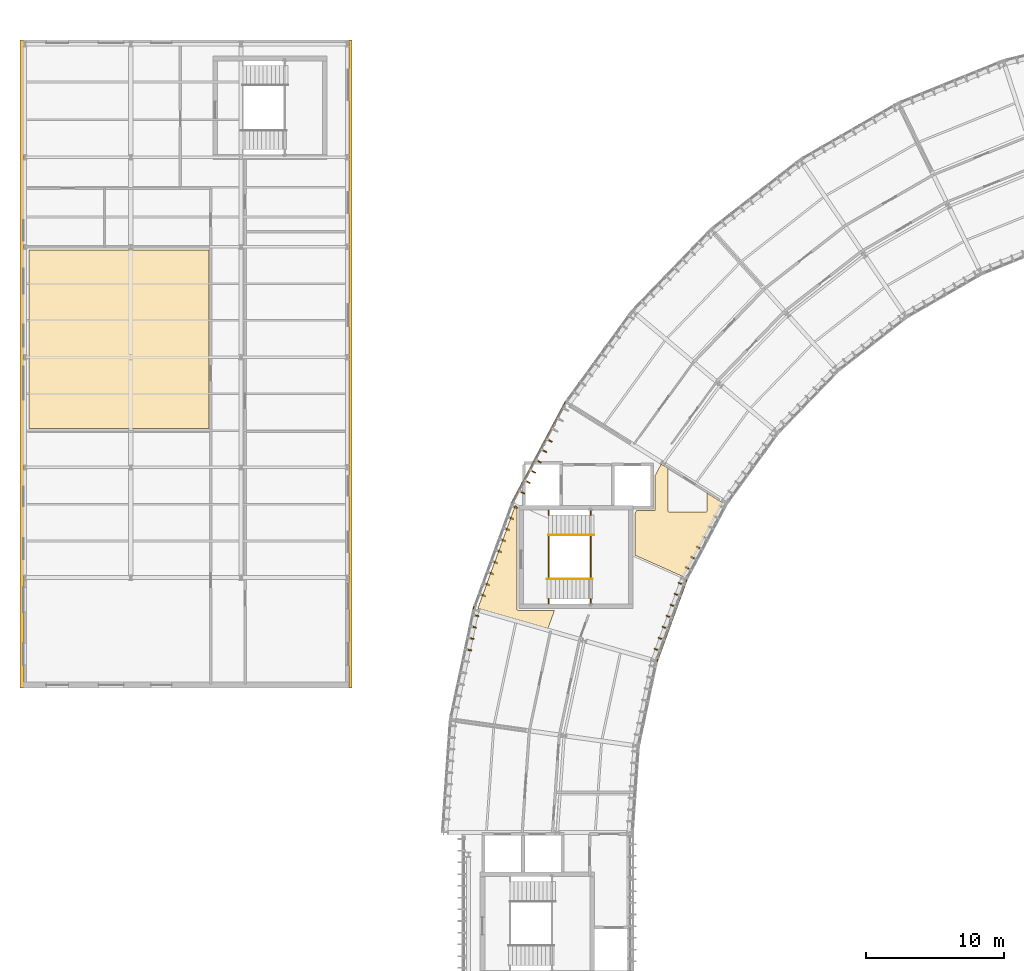
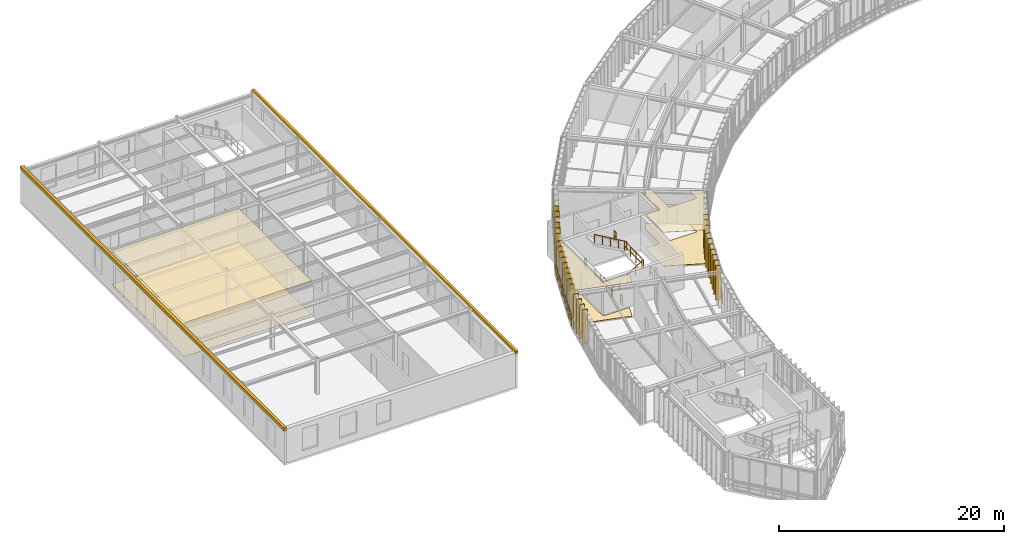
# One storey, part 37 of 41: 37 coverings, 11 railings.
"""IFC4 building model written with IfcOpenShell, lengths in metres."""

from ifc_helpers import new_model, si_unit, direction, frame, origin, origin_2d, place, context, subcontext, project, spatial, polyline, rectangle, circle, outline, extrude, material, layer, layer_set, type_object, element, save


model = new_model("IFC4")

# Units and contexts
model_context = context("Model", 3, precision=1e-05, world=origin(), true_north=direction((0.0, 1.0)))
body_context = subcontext(model_context, "Body", "Model", "MODEL_VIEW")
ifc_project = project(units=[si_unit("LENGTHUNIT", "METRE"), si_unit("AREAUNIT", "SQUARE_METRE"), si_unit("VOLUMEUNIT", "CUBIC_METRE"), si_unit("PLANEANGLEUNIT", "RADIAN"), si_unit("MASSUNIT", "GRAM", prefix="KILO"), si_unit("THERMODYNAMICTEMPERATUREUNIT", "KELVIN"), si_unit("POWERUNIT", "WATT")], contexts=[model_context])

# Site, building, storey
site_placement = place(None, origin())
site = spatial("IfcSite", under=ifc_project, at=site_placement, CompositionType="ELEMENT")
building_placement = place(site_placement, origin())
building = spatial("IfcBuilding", under=site, at=building_placement, Name="Solvatero Civic Police Headquarters", CompositionType="ELEMENT")
storey_placement = place(building_placement, frame((0.0, 0.0, 17.699951171875)))
storey = spatial("IfcBuildingStorey", under=building, at=storey_placement, Name="L04", CompositionType="ELEMENT", Elevation=17.699951171875)

# Coverings
ifc_material_1 = material(Name="Mineral-Fibre Acoustic Tile", Category="gypsum")
ifc_layer_1 = layer(ifc_material_1, 0.02490234375)
ifc_layer_set_1 = layer_set([ifc_layer_1], Name="Mineral-Fibre Acoustic Tile")
covering_type_1 = type_object("IfcCoveringType", Name="COV-CEIL-AC", PredefinedType="CEILING", material=ifc_layer_set_1)
covering_1_placement = place(storey_placement, frame((0.0, 0.0, 3.675048828125)))
element("IfcCovering", 1, at=covering_1_placement, inside=storey, type_object=covering_type_1, Name="Acoustic Ceiling TEMPEST Shielded Digital Forensics Laboratory", PredefinedType="CEILING", context=body_context, shape_type="SweptSolid", body=[
    extrude(outline(polyline([(5.1201171875, 55.320068359375), (5.1201171875, 68.280029296875), (18.179931640625, 68.280029296875), (18.179931640625, 55.320068359375), (5.1201171875, 55.320068359375)])), origin(), (0.0, 0.0, 1.0), 0.02490234375),
])
covering_2_placement = place(storey_placement, frame((0.0, 0.0, 3.675048828125)))
element("IfcCovering", 2, at=covering_2_placement, inside=storey, type_object=covering_type_1, Name="Acoustic Ceiling Counter-Terrorism Liaison Suite Bay 9", PredefinedType="CEILING", context=body_context, shape_type="SweptSolid", body=[
    extrude(outline(polyline([(50.981689453125, 52.7392578125), (51.4599609375, 52.4404296875), (51.4599609375, 49.360107421875), (51.46044921875, 49.352294921875), (51.46142578125, 49.344482421875), (51.46337890625, 49.3369140625), (51.466064453125, 49.329345703125), (51.469482421875, 49.322265625), (51.473388671875, 49.315673828125), (51.478271484375, 49.30908203125), (51.4833984375, 49.303466796875), (51.4892578125, 49.298095703125), (51.49560546875, 49.29345703125), (51.502197265625, 49.289306640625), (51.509521484375, 49.2861328125), (51.516845703125, 49.283447265625), (51.5244140625, 49.281494140625), (51.5322265625, 49.280517578125), (51.5400390625, 49.280029296875), (54.239990234375, 49.280029296875), (54.247802734375, 49.280517578125), (54.255615234375, 49.281494140625), (54.26318359375, 49.283447265625), (54.2705078125, 49.2861328125), (54.277587890625, 49.289306640625), (54.284423828125, 49.29345703125), (54.290771484375, 49.298095703125), (54.296630859375, 49.303466796875), (54.3017578125, 49.30908203125), (54.306396484375, 49.315673828125), (54.310546875, 49.322265625), (54.31396484375, 49.329345703125), (54.316650390625, 49.3369140625), (54.318603515625, 49.344482421875), (54.319580078125, 49.352294921875), (54.320068359375, 49.360107421875), (54.320068359375, 50.629638671875), (55.4580078125, 49.918701171875), (52.608642578125, 44.559814453125), (49.070068359375, 46.135498046875), (49.070068359375, 49.14404296875), (49.184814453125, 49.360107421875), (50.4599609375, 49.360107421875), (50.4677734375, 49.3603515625), (50.4755859375, 49.361572265625), (50.483154296875, 49.36328125), (50.490478515625, 49.3662109375), (50.497802734375, 49.369384765625), (50.50439453125, 49.37353515625), (50.5107421875, 49.378173828125), (50.5166015625, 49.38330078125), (50.521728515625, 49.38916015625), (50.526611328125, 49.3955078125), (50.530517578125, 49.40234375), (50.533935546875, 49.409423828125), (50.53662109375, 49.416748046875), (50.53857421875, 49.42431640625), (50.53955078125, 49.43212890625), (50.5400390625, 49.43994140625), (50.5400390625, 51.90869140625), (50.981689453125, 52.7392578125)])), origin(), (0.0, 0.0, 1.0), 0.02490234375),
])
covering_3_placement = place(storey_placement, frame((0.0, 0.0, 3.675048828125)))
element("IfcCovering", 3, at=covering_3_placement, inside=storey, type_object=covering_type_1, Name="Acoustic Ceiling Regional Intelligence Fusion Desk Bay 10", PredefinedType="CEILING", context=body_context, shape_type="SweptSolid", body=[
    extrude(outline(polyline([(40.530029296875, 49.675048828125), (40.530029296875, 42.2099609375), (40.530517578125, 42.2021484375), (40.531494140625, 42.1943359375), (40.533447265625, 42.186767578125), (40.5361328125, 42.179443359375), (40.539306640625, 42.17236328125), (40.54345703125, 42.16552734375), (40.548095703125, 42.1591796875), (40.553466796875, 42.1533203125), (40.55908203125, 42.148193359375), (40.565673828125, 42.1435546875), (40.572265625, 42.139404296875), (40.579345703125, 42.135986328125), (40.5869140625, 42.13330078125), (40.594482421875, 42.131591796875), (40.602294921875, 42.13037109375), (40.610107421875, 42.1298828125), (43.24560546875, 42.1298828125), (42.76708984375, 40.815673828125), (37.6826171875, 42.273681640625), (40.39794921875, 49.73388671875), (40.530029296875, 49.675048828125)])), origin(), (0.0, 0.0, 1.0), 0.02490234375),
])
ifc_material_2 = material(Name="Anodized Bronze Aluminium", Category="aluminium")
ifc_layer_2 = layer(ifc_material_2, 0.080078125)
ifc_layer_set_2 = layer_set([ifc_layer_2], Name="Anodized Bronze Aluminium")
covering_type_2 = type_object("IfcCoveringType", Name="COV-FIN-480", PredefinedType="CLADDING", material=ifc_layer_set_2)
for number, where, z_axis, x_axis, name in (
    (4, (42.8505859375, 54.466552734375, -0.02001953125), (0.0, 0.0, 1.0), (-0.469486973057, -0.8829393989, 0.0), "Vertical Brise-Soleil Fin 0909"),
    (5, (42.451416015625, 53.716064453125, -0.02001953125), (0.0, 0.0, 1.0), (-0.469486973057, -0.8829393989, 0.0), "Vertical Brise-Soleil Fin 0910"),
    (6, (42.052490234375, 52.965576171875, -0.02001953125), (0.0, 0.0, 1.0), (-0.469486973057, -0.8829393989, 0.0), "Vertical Brise-Soleil Fin 0911"),
    (7, (41.6533203125, 52.215087890625, -0.02001953125), (0.0, 0.0, 1.0), (-0.469486973057, -0.8829393989, 0.0), "Vertical Brise-Soleil Fin 0912"),
    (8, (41.25439453125, 51.464599609375, -0.02001953125), (0.0, 0.0, 1.0), (-0.469486973057, -0.8829393989, 0.0), "Vertical Brise-Soleil Fin 0913"),
    (9, (40.855224609375, 50.714111328125, -0.02001953125), (0.0, 0.0, 1.0), (-0.469486973057, -0.8829393989, 0.0), "Vertical Brise-Soleil Fin 0914"),
    (10, (53.764892578125, 46.64990234375, -0.02001953125), (0.0, 0.0, 1.0), (-0.469486973057, -0.8829393989, 0.0), "Vertical Brise-Soleil Fin 0919"),
    (11, (53.36572265625, 45.8994140625, -0.02001953125), (0.0, 0.0, 1.0), (-0.469486973057, -0.8829393989, 0.0), "Vertical Brise-Soleil Fin 0920"),
    (12, (52.966552734375, 45.148681640625, -0.02001953125), (0.0, 0.0, 1.0), (-0.469486973057, -0.8829393989, 0.0), "Vertical Brise-Soleil Fin 0921"),
    (13, (40.31884765625, 49.632568359375, -0.02001953125), (0.0, 0.0, 1.0), (-0.342020143326, -0.939692620786, 0.0), "Vertical Brise-Soleil Fin 0922"),
    (14, (40.028076171875, 48.833740234375, -0.02001953125), (0.0, 0.0, 1.0), (-0.342020143326, -0.939692620786, 0.0), "Vertical Brise-Soleil Fin 0923"),
    (15, (39.7373046875, 48.03515625, -0.02001953125), (0.0, 0.0, 1.0), (-0.342020143326, -0.939692620786, 0.0), "Vertical Brise-Soleil Fin 0924"),
    (16, (39.44677734375, 47.236328125, -0.02001953125), (0.0, 0.0, 1.0), (-0.342020143326, -0.939692620786, 0.0), "Vertical Brise-Soleil Fin 0925"),
    (17, (39.156005859375, 46.4375, -0.02001953125), (0.0, 0.0, 1.0), (-0.342020143326, -0.939692620786, 0.0), "Vertical Brise-Soleil Fin 0926"),
    (18, (38.865234375, 45.638916015625, -0.02001953125), (0.0, 0.0, 1.0), (-0.342020143326, -0.939692620786, 0.0), "Vertical Brise-Soleil Fin 0927"),
    (19, (38.57470703125, 44.840087890625, -0.02001953125), (0.0, 0.0, 1.0), (-0.342020143326, -0.939692620786, 0.0), "Vertical Brise-Soleil Fin 0928"),
    (20, (38.283935546875, 44.04150390625, -0.02001953125), (0.0, 0.0, 1.0), (-0.342020143326, -0.939692620786, 0.0), "Vertical Brise-Soleil Fin 0929"),
    (21, (37.9931640625, 43.24267578125, -0.02001953125), (0.0, 0.0, 1.0), (-0.342020143326, -0.939692620786, 0.0), "Vertical Brise-Soleil Fin 0930"),
    (22, (52.44873046875, 44.0537109375, -0.02001953125), (0.0, 0.0, 1.0), (-0.342003742543, -0.93969859002, 0.0), "Vertical Brise-Soleil Fin 0931"),
    (23, (52.157958984375, 43.2548828125, -0.02001953125), (0.0, 0.0, 1.0), (-0.342003742543, -0.93969859002, 0.0), "Vertical Brise-Soleil Fin 0932"),
    (24, (51.8671875, 42.4560546875, -0.02001953125), (0.0, 0.0, 1.0), (-0.342003742543, -0.93969859002, 0.0), "Vertical Brise-Soleil Fin 0933"),
    (25, (51.576416015625, 41.657470703125, -0.02001953125), (0.0, 0.0, 1.0), (-0.342003742543, -0.93969859002, 0.0), "Vertical Brise-Soleil Fin 0934"),
    (26, (51.285888671875, 40.858642578125, -0.02001953125), (0.0, 0.0, 1.0), (-0.342003742543, -0.93969859002, 0.0), "Vertical Brise-Soleil Fin 0935"),
    (27, (50.9951171875, 40.059814453125, -0.02001953125), (0.0, 0.0, 1.0), (-0.342003742543, -0.93969859002, 0.0), "Vertical Brise-Soleil Fin 0936"),
    (28, (50.704345703125, 39.260986328125, -0.02001953125), (0.0, 0.0, 1.0), (-0.342003742543, -0.93969859002, 0.0), "Vertical Brise-Soleil Fin 0937"),
    (29, (37.515625, 41.759521484375, -0.02001953125), (0.0, 0.0, 1.0), (-0.207911690818, -0.978147600734, 0.0), "Vertical Brise-Soleil Fin 0938"),
    (30, (37.3388671875, 40.927978515625, -0.02001953125), (0.0, 0.0, 1.0), (-0.207911690818, -0.978147600734, 0.0), "Vertical Brise-Soleil Fin 0939"),
    (31, (37.162109375, 40.0966796875, -0.02001953125), (0.0, 0.0, 1.0), (-0.207911690818, -0.978147600734, 0.0), "Vertical Brise-Soleil Fin 0940"),
    (32, (36.985595703125, 39.26513671875, -0.02001953125), (0.0, 0.0, 1.0), (-0.207911690818, -0.978147600734, 0.0), "Vertical Brise-Soleil Fin 0941"),
):
    element("IfcCovering", number, at=place(storey_placement, frame(where, z_axis=z_axis, x_axis=x_axis)), inside=storey, type_object=covering_type_2, Name=name, PredefinedType="CLADDING", context=body_context, shape_type="SweptSolid", body=[
        extrude(rectangle(XDim=0.080078125, YDim=0.47998046875, at=origin_2d()), origin(), (0.0, 0.0, 1.0), 3.739990234375),
    ])
ifc_material_3 = material(Name="Anti-Static Laboratory Epoxy", Category="plastic")
ifc_layer_3 = layer(ifc_material_3, 0.014892578125)
ifc_layer_set_3 = layer_set([ifc_layer_3], Name="Anti-Static Laboratory Epoxy")
covering_type_3 = type_object("IfcCoveringType", Name="COV-FLR-EPX", PredefinedType="FLOORING", material=ifc_layer_set_3)
covering_4_placement = place(storey_placement, origin())
element("IfcCovering", 33, at=covering_4_placement, inside=storey, type_object=covering_type_3, Name="Flooring TEMPEST Shielded Digital Forensics Laboratory", PredefinedType="FLOORING", context=body_context, shape_type="SweptSolid", body=[
    extrude(outline(polyline([(5.1201171875, 55.320068359375), (5.1201171875, 68.280029296875), (18.179931640625, 68.280029296875), (18.179931640625, 55.320068359375), (5.1201171875, 55.320068359375)])), origin(), (0.0, 0.0, 1.0), 0.01513671875),
])
ifc_material_4 = material(Name="Venetian Terrazzo Stone", Category="masonry")
ifc_layer_4 = layer(ifc_material_4, 0.034912109375)
ifc_layer_set_4 = layer_set([ifc_layer_4], Name="Venetian Terrazzo Stone")
covering_type_4 = type_object("IfcCoveringType", Name="COV-FLR-TER", PredefinedType="FLOORING", material=ifc_layer_set_4)
covering_5_placement = place(storey_placement, origin())
element("IfcCovering", 34, at=covering_5_placement, inside=storey, type_object=covering_type_4, Name="Flooring Counter-Terrorism Liaison Suite Bay 9", PredefinedType="FLOORING", context=body_context, shape_type="SweptSolid", body=[
    extrude(outline(polyline([(50.981689453125, 52.7392578125), (51.4599609375, 52.4404296875), (51.4599609375, 49.360107421875), (51.46044921875, 49.352294921875), (51.46142578125, 49.344482421875), (51.46337890625, 49.3369140625), (51.466064453125, 49.329345703125), (51.469482421875, 49.322265625), (51.473388671875, 49.315673828125), (51.478271484375, 49.30908203125), (51.4833984375, 49.303466796875), (51.4892578125, 49.298095703125), (51.49560546875, 49.29345703125), (51.502197265625, 49.289306640625), (51.509521484375, 49.2861328125), (51.516845703125, 49.283447265625), (51.5244140625, 49.281494140625), (51.5322265625, 49.280517578125), (51.5400390625, 49.280029296875), (54.239990234375, 49.280029296875), (54.247802734375, 49.280517578125), (54.255615234375, 49.281494140625), (54.26318359375, 49.283447265625), (54.2705078125, 49.2861328125), (54.277587890625, 49.289306640625), (54.284423828125, 49.29345703125), (54.290771484375, 49.298095703125), (54.296630859375, 49.303466796875), (54.3017578125, 49.30908203125), (54.306396484375, 49.315673828125), (54.310546875, 49.322265625), (54.31396484375, 49.329345703125), (54.316650390625, 49.3369140625), (54.318603515625, 49.344482421875), (54.319580078125, 49.352294921875), (54.320068359375, 49.360107421875), (54.320068359375, 50.629638671875), (55.4580078125, 49.918701171875), (52.608642578125, 44.559814453125), (49.070068359375, 46.135498046875), (49.070068359375, 49.14404296875), (49.184814453125, 49.360107421875), (50.4599609375, 49.360107421875), (50.4677734375, 49.3603515625), (50.4755859375, 49.361572265625), (50.483154296875, 49.36328125), (50.490478515625, 49.3662109375), (50.497802734375, 49.369384765625), (50.50439453125, 49.37353515625), (50.5107421875, 49.378173828125), (50.5166015625, 49.38330078125), (50.521728515625, 49.38916015625), (50.526611328125, 49.3955078125), (50.530517578125, 49.40234375), (50.533935546875, 49.409423828125), (50.53662109375, 49.416748046875), (50.53857421875, 49.42431640625), (50.53955078125, 49.43212890625), (50.5400390625, 49.43994140625), (50.5400390625, 51.90869140625), (50.981689453125, 52.7392578125)])), origin(), (0.0, 0.0, 1.0), 0.03515625),
])
covering_6_placement = place(storey_placement, origin())
element("IfcCovering", 35, at=covering_6_placement, inside=storey, type_object=covering_type_4, Name="Flooring Regional Intelligence Fusion Desk Bay 10", PredefinedType="FLOORING", context=body_context, shape_type="SweptSolid", body=[
    extrude(outline(polyline([(40.530029296875, 49.675048828125), (40.530029296875, 42.2099609375), (40.530517578125, 42.2021484375), (40.531494140625, 42.1943359375), (40.533447265625, 42.186767578125), (40.5361328125, 42.179443359375), (40.539306640625, 42.17236328125), (40.54345703125, 42.16552734375), (40.548095703125, 42.1591796875), (40.553466796875, 42.1533203125), (40.55908203125, 42.148193359375), (40.565673828125, 42.1435546875), (40.572265625, 42.139404296875), (40.579345703125, 42.135986328125), (40.5869140625, 42.13330078125), (40.594482421875, 42.131591796875), (40.602294921875, 42.13037109375), (40.610107421875, 42.1298828125), (43.24560546875, 42.1298828125), (42.76708984375, 40.815673828125), (37.6826171875, 42.273681640625), (40.39794921875, 49.73388671875), (40.530029296875, 49.675048828125)])), origin(), (0.0, 0.0, 1.0), 0.03515625),
])
ifc_material_5 = material(Name="Cream Limestone Ashlar", Category="masonry")
ifc_layer_5 = layer(ifc_material_5, 0.10009765625)
ifc_layer_set_5 = layer_set([ifc_layer_5], Name="Cream Limestone Ashlar")
covering_type_5 = type_object("IfcCoveringType", Name="COV-TRIM-STONE", PredefinedType="CLADDING", material=ifc_layer_set_5)
covering_7_placement = place(storey_placement, frame((4.60009765625, 60.0, 3.56005859375), z_axis=(0.0, 0.0, 1.0), x_axis=(1.0, 0.0, 0.0)))
element("IfcCovering", 36, at=covering_7_placement, inside=storey, type_object=covering_type_5, Name="Classical Limestone Trim TRIM-V6-L04-W", PredefinedType="CLADDING", context=body_context, shape_type="SweptSolid", body=[
    extrude(rectangle(XDim=0.280029296875, YDim=47.0, at=origin_2d()), origin(), (0.0, 0.0, 1.0), 0.320068359375),
])
covering_8_placement = place(storey_placement, frame((28.43994140625, 60.0, 3.56982421875), z_axis=(0.0, 0.0, 1.0), x_axis=(1.0, 0.0, 0.0)))
element("IfcCovering", 37, at=covering_8_placement, inside=storey, type_object=covering_type_5, Name="Classical Limestone Trim TRIM-V6-L04-E", PredefinedType="CLADDING", context=body_context, shape_type="SweptSolid", body=[
    extrude(rectangle(XDim=0.239990234375, YDim=47.0, at=origin_2d()), origin(), (0.0, 0.0, 1.0), 0.300048828125),
])

# Railings
ifc_material_6 = material(Name="Anodized Bronze and Laminated Glass", Category="glass")
railing_type_1 = type_object("IfcRailingType", Name="RL-BAL-115", PredefinedType="BALUSTRADE", material=ifc_material_6)
railing_1_placement = place(storey_placement, frame((44.01611328125, 57.2333984375, 0.0)))
element("IfcRailing", 38, at=railing_1_placement, inside=storey, type_object=railing_type_1, Name="Glazed Facade Sill Balustrade RL-L04-ARCOUT-B09", PredefinedType="BALUSTRADE", context=body_context, shape_type="SweptSolid", body=[
    extrude(circle(Radius=0.02392578125, at=origin_2d()), frame((0.0, 0.0, 1.1259765625), z_axis=(-0.469495286037, -0.882934978573, 0.0), x_axis=(0.882934978573, -0.469495286037, 0.0)), (0.0, 0.0, 1.0), 8.222900390625),
    extrude(circle(Radius=0.02392578125, at=origin_2d()), frame((0.0, 0.0, 0.55078125), z_axis=(-0.469495286037, -0.882934978573, 0.0), x_axis=(0.882934978573, -0.469495286037, 0.0)), (0.0, 0.0, 1.0), 8.222900390625),
    extrude(circle(Radius=0.02099609375, at=origin_2d()), origin(), (0.0, 0.0, 1.0), 1.101806640625),
    extrude(circle(Radius=0.02099609375, at=origin_2d()), frame((-0.551513671875, -1.037109375, 0.0)), (0.0, 0.0, 1.0), 1.101806640625),
    extrude(circle(Radius=0.02099609375, at=origin_2d()), frame((-1.10302734375, -2.074462890625, 0.0)), (0.0, 0.0, 1.0), 1.101806640625),
    extrude(circle(Radius=0.02099609375, at=origin_2d()), frame((-1.654541015625, -3.111572265625, 0.0)), (0.0, 0.0, 1.0), 1.101806640625),
    extrude(circle(Radius=0.02099609375, at=origin_2d()), frame((-2.2060546875, -4.148681640625, 0.0)), (0.0, 0.0, 1.0), 1.101806640625),
    extrude(circle(Radius=0.02099609375, at=origin_2d()), frame((-2.757568359375, -5.185791015625, 0.0)), (0.0, 0.0, 1.0), 1.101806640625),
    extrude(circle(Radius=0.02099609375, at=origin_2d()), frame((-3.30908203125, -6.22314453125, 0.0)), (0.0, 0.0, 1.0), 1.101806640625),
    extrude(circle(Radius=0.02099609375, at=origin_2d()), frame((-3.860595703125, -7.26025390625, 0.0)), (0.0, 0.0, 1.0), 1.101806640625),
])
railing_2_placement = place(storey_placement, frame((52.835693359375, 44.32763671875, 0.0)))
element("IfcRailing", 39, at=railing_2_placement, inside=storey, type_object=railing_type_1, Name="Glazed Facade Sill Balustrade RL-L04-ARCIN-B10", PredefinedType="BALUSTRADE", context=body_context, shape_type="SweptSolid", body=[
    extrude(circle(Radius=0.02392578125, at=origin_2d()), frame((0.0, 0.0, 1.1259765625), z_axis=(-0.342020563113, -0.939692467996, 0.0), x_axis=(0.939692467996, -0.342020563113, 0.0)), (0.0, 0.0, 1.0), 6.28662109375),
    extrude(circle(Radius=0.02392578125, at=origin_2d()), frame((0.0, 0.0, 0.55078125), z_axis=(-0.342020563113, -0.939692467996, 0.0), x_axis=(0.939692467996, -0.342020563113, 0.0)), (0.0, 0.0, 1.0), 6.28662109375),
    extrude(circle(Radius=0.02099609375, at=origin_2d()), origin(), (0.0, 0.0, 1.0), 1.101806640625),
    extrude(circle(Radius=0.02099609375, at=origin_2d()), frame((-0.3583984375, -0.984619140625, 0.0)), (0.0, 0.0, 1.0), 1.101806640625),
    extrude(circle(Radius=0.02099609375, at=origin_2d()), frame((-0.716796875, -1.96923828125, 0.0)), (0.0, 0.0, 1.0), 1.101806640625),
    extrude(circle(Radius=0.02099609375, at=origin_2d()), frame((-1.0751953125, -2.95361328125, 0.0)), (0.0, 0.0, 1.0), 1.101806640625),
    extrude(circle(Radius=0.02099609375, at=origin_2d()), frame((-1.433349609375, -3.938232421875, 0.0)), (0.0, 0.0, 1.0), 1.101806640625),
    extrude(circle(Radius=0.02099609375, at=origin_2d()), frame((-1.791748046875, -4.9228515625, 0.0)), (0.0, 0.0, 1.0), 1.101806640625),
    extrude(circle(Radius=0.02099609375, at=origin_2d()), frame((-2.150146484375, -5.907470703125, 0.0)), (0.0, 0.0, 1.0), 1.101806640625),
])
railing_3_placement = place(storey_placement, frame((40.155517578125, 49.97314453125, 0.0)))
element("IfcRailing", 40, at=railing_3_placement, inside=storey, type_object=railing_type_1, Name="Glazed Facade Sill Balustrade RL-L04-ARCOUT-B10", PredefinedType="BALUSTRADE", context=body_context, shape_type="SweptSolid", body=[
    extrude(circle(Radius=0.02392578125, at=origin_2d()), frame((0.0, 0.0, 1.1259765625), z_axis=(-0.342002894578, -0.939698898637, 0.0), x_axis=(0.939698898637, -0.342002894578, 0.0)), (0.0, 0.0, 1.0), 8.222900390625),
    extrude(circle(Radius=0.02392578125, at=origin_2d()), frame((0.0, 0.0, 0.55078125), z_axis=(-0.342002894578, -0.939698898637, 0.0), x_axis=(0.939698898637, -0.342002894578, 0.0)), (0.0, 0.0, 1.0), 8.222900390625),
    extrude(circle(Radius=0.02099609375, at=origin_2d()), origin(), (0.0, 0.0, 1.0), 1.101806640625),
    extrude(circle(Radius=0.02099609375, at=origin_2d()), frame((-0.40185546875, -1.103759765625, 0.0)), (0.0, 0.0, 1.0), 1.101806640625),
    extrude(circle(Radius=0.02099609375, at=origin_2d()), frame((-0.803466796875, -2.207763671875, 0.0)), (0.0, 0.0, 1.0), 1.101806640625),
    extrude(circle(Radius=0.02099609375, at=origin_2d()), frame((-1.205322265625, -3.3115234375, 0.0)), (0.0, 0.0, 1.0), 1.101806640625),
    extrude(circle(Radius=0.02099609375, at=origin_2d()), frame((-1.60693359375, -4.41552734375, 0.0)), (0.0, 0.0, 1.0), 1.101806640625),
    extrude(circle(Radius=0.02099609375, at=origin_2d()), frame((-2.0087890625, -5.519287109375, 0.0)), (0.0, 0.0, 1.0), 1.101806640625),
    extrude(circle(Radius=0.02099609375, at=origin_2d()), frame((-2.410400390625, -6.623291015625, 0.0)), (0.0, 0.0, 1.0), 1.101806640625),
    extrude(circle(Radius=0.02099609375, at=origin_2d()), frame((-2.812255859375, -7.72705078125, 0.0)), (0.0, 0.0, 1.0), 1.101806640625),
])
ifc_material_7 = material(Name="Painted Galvanized Steel", Category="steel")
railing_type_2 = type_object("IfcRailingType", Name="RL-GRD-110", PredefinedType="GUARDRAIL", material=ifc_material_7)
railing_4_placement = place(storey_placement, frame((42.830078125, 44.429931640625, 0.0)))
element("IfcRailing", 41, at=railing_4_placement, inside=storey, type_object=railing_type_2, Name="ST-C2 L04 Floor Well Guardrail", PredefinedType="GUARDRAIL", context=body_context, shape_type="SweptSolid", body=[
    extrude(circle(Radius=0.02392578125, at=origin_2d()), frame((0.0, 0.0, 1.09619140625), z_axis=(0.0, 1.0, 0.0), x_axis=(-1.0, 0.0, 0.0)), (0.0, 0.0, 1.0), 3.14013671875),
    extrude(circle(Radius=0.02392578125, at=origin_2d()), frame((0.0, 0.0, 0.5361328125), z_axis=(0.0, 1.0, 0.0), x_axis=(-1.0, 0.0, 0.0)), (0.0, 0.0, 1.0), 3.14013671875),
    extrude(circle(Radius=0.02099609375, at=origin_2d()), origin(), (0.0, 0.0, 1.0), 1.072021484375),
    extrude(circle(Radius=0.02099609375, at=origin_2d()), frame((0.0, 1.046630859375, 0.0)), (0.0, 0.0, 1.0), 1.072021484375),
    extrude(circle(Radius=0.02099609375, at=origin_2d()), frame((0.0, 2.093505859375, 0.0)), (0.0, 0.0, 1.0), 1.072021484375),
    extrude(circle(Radius=0.02099609375, at=origin_2d()), frame((0.0, 3.14013671875, 0.0)), (0.0, 0.0, 1.0), 1.072021484375),
])
for number, where, name in (
    (42, (42.830078125, 42.610107421875, 0.0), "ST-C2 L04 Floor Well South Slot Guardrail"),
    (43, (42.830078125, 49.030029296875, 0.0), "ST-C2 L04 Floor Well North Slot Guardrail"),
):
    element("IfcRailing", number, at=place(storey_placement, frame(where)), inside=storey, type_object=railing_type_2, Name=name, PredefinedType="GUARDRAIL", context=body_context, shape_type="SweptSolid", body=[
        extrude(circle(Radius=0.02392578125, at=origin_2d()), frame((0.0, 0.0, 1.09619140625), z_axis=(0.0, 1.0, 0.0), x_axis=(-1.0, 0.0, 0.0)), (0.0, 0.0, 1.0), 0.35986328125),
        extrude(circle(Radius=0.02392578125, at=origin_2d()), frame((0.0, 0.0, 0.5361328125), z_axis=(0.0, 1.0, 0.0), x_axis=(-1.0, 0.0, 0.0)), (0.0, 0.0, 1.0), 0.35986328125),
        extrude(circle(Radius=0.02099609375, at=origin_2d()), origin(), (0.0, 0.0, 1.0), 1.072021484375),
        extrude(circle(Radius=0.02099609375, at=origin_2d()), frame((0.0, 0.35986328125, 0.0)), (0.0, 0.0, 1.0), 1.072021484375),
    ])
railing_5_placement = place(storey_placement, frame((45.8701171875, 44.429931640625, 1.949951171875)))
element("IfcRailing", 44, at=railing_5_placement, inside=storey, type_object=railing_type_2, Name="ST-C2 L04 Half-Landing Well Guardrail", PredefinedType="GUARDRAIL", context=body_context, shape_type="SweptSolid", body=[
    extrude(circle(Radius=0.02392578125, at=origin_2d()), frame((0.0, 0.0, 1.09619140625), z_axis=(0.0, 1.0, 0.0), x_axis=(-1.0, 0.0, 0.0)), (0.0, 0.0, 1.0), 3.14013671875),
    extrude(circle(Radius=0.02392578125, at=origin_2d()), frame((0.0, 0.0, 0.5361328125), z_axis=(0.0, 1.0, 0.0), x_axis=(-1.0, 0.0, 0.0)), (0.0, 0.0, 1.0), 3.14013671875),
    extrude(circle(Radius=0.02099609375, at=origin_2d()), origin(), (0.0, 0.0, 1.0), 1.072021484375),
    extrude(circle(Radius=0.02099609375, at=origin_2d()), frame((0.0, 1.046630859375, 0.0)), (0.0, 0.0, 1.0), 1.072021484375),
    extrude(circle(Radius=0.02099609375, at=origin_2d()), frame((0.0, 2.093505859375, 0.0)), (0.0, 0.0, 1.0), 1.072021484375),
    extrude(circle(Radius=0.02099609375, at=origin_2d()), frame((0.0, 3.14013671875, 0.0)), (0.0, 0.0, 1.0), 1.072021484375),
])
for number, where, name in (
    (45, (45.8701171875, 42.610107421875, 1.949951171875), "ST-C2 L04 Half-Landing South Slot Guardrail"),
    (46, (45.8701171875, 49.030029296875, 1.949951171875), "ST-C2 L04 Half-Landing North Slot Guardrail"),
):
    element("IfcRailing", number, at=place(storey_placement, frame(where)), inside=storey, type_object=railing_type_2, Name=name, PredefinedType="GUARDRAIL", context=body_context, shape_type="SweptSolid", body=[
        extrude(circle(Radius=0.02392578125, at=origin_2d()), frame((0.0, 0.0, 1.09619140625), z_axis=(0.0, 1.0, 0.0), x_axis=(-1.0, 0.0, 0.0)), (0.0, 0.0, 1.0), 0.35986328125),
        extrude(circle(Radius=0.02392578125, at=origin_2d()), frame((0.0, 0.0, 0.5361328125), z_axis=(0.0, 1.0, 0.0), x_axis=(-1.0, 0.0, 0.0)), (0.0, 0.0, 1.0), 0.35986328125),
        extrude(circle(Radius=0.02099609375, at=origin_2d()), origin(), (0.0, 0.0, 1.0), 1.072021484375),
        extrude(circle(Radius=0.02099609375, at=origin_2d()), frame((0.0, 0.35986328125, 0.0)), (0.0, 0.0, 1.0), 1.072021484375),
    ])
ifc_material_8 = material(Name="Brushed Stainless Steel", Category="steel")
railing_type_3 = type_object("IfcRailingType", Name="RL-HND-092", PredefinedType="HANDRAIL", material=ifc_material_8)
railing_6_placement = place(storey_placement, frame((42.699951171875, 44.39990234375, 0.0)))
element("IfcRailing", 47, at=railing_6_placement, inside=storey, type_object=railing_type_3, Name="ST-C2 L04 Flight 1 Handrail", PredefinedType="HANDRAIL", context=body_context, shape_type="SweptSolid", body=[
    extrude(circle(Radius=0.02392578125, at=origin_2d()), frame((0.0, 0.0, 0.89599609375), z_axis=(0.860935404107, 0.0, 0.508714291086), x_axis=(0.0, 1.0, 0.0)), (0.0, 0.0, 1.0), 3.8330078125),
    extrude(circle(Radius=0.02099609375, at=origin_2d()), origin(), (0.0, 0.0, 1.0), 0.871826171875),
    extrude(circle(Radius=0.02099609375, at=origin_2d()), frame((0.824951171875, 0.0, 0.487548828125)), (0.0, 0.0, 1.0), 0.871826171875),
    extrude(circle(Radius=0.02099609375, at=origin_2d()), frame((1.64990234375, 0.0, 0.97509765625)), (0.0, 0.0, 1.0), 0.871826171875),
    extrude(circle(Radius=0.02099609375, at=origin_2d()), frame((2.47509765625, 0.0, 1.46240234375)), (0.0, 0.0, 1.0), 0.871826171875),
    extrude(circle(Radius=0.02099609375, at=origin_2d()), frame((3.300048828125, 0.0, 1.949951171875)), (0.0, 0.0, 1.0), 0.871826171875),
])
railing_7_placement = place(storey_placement, frame((46.10009765625, 47.60009765625, 1.949951171875)))
element("IfcRailing", 48, at=railing_7_placement, inside=storey, type_object=railing_type_3, Name="ST-C2 L04 Flight 2 Handrail", PredefinedType="HANDRAIL", context=body_context, shape_type="SweptSolid", body=[
    extrude(circle(Radius=0.02392578125, at=origin_2d()), frame((0.0, 0.0, 0.89599609375), z_axis=(-0.860907508178, 0.0, 0.508761498507), x_axis=(0.0, -1.0, 0.0)), (0.0, 0.0, 1.0), 3.833251953125),
    extrude(circle(Radius=0.02099609375, at=origin_2d()), origin(), (0.0, 0.0, 1.0), 0.871826171875),
    extrude(circle(Radius=0.02099609375, at=origin_2d()), frame((-0.824951171875, 0.0, 0.487548828125)), (0.0, 0.0, 1.0), 0.871826171875),
    extrude(circle(Radius=0.02099609375, at=origin_2d()), frame((-1.64990234375, 0.0, 0.97509765625)), (0.0, 0.0, 1.0), 0.871826171875),
    extrude(circle(Radius=0.02099609375, at=origin_2d()), frame((-2.47509765625, 0.0, 1.462646484375)), (0.0, 0.0, 1.0), 0.871826171875),
    extrude(circle(Radius=0.02099609375, at=origin_2d()), frame((-3.300048828125, 0.0, 1.9501953125)), (0.0, 0.0, 1.0), 0.871826171875),
])

save(model, "model.ifc")
